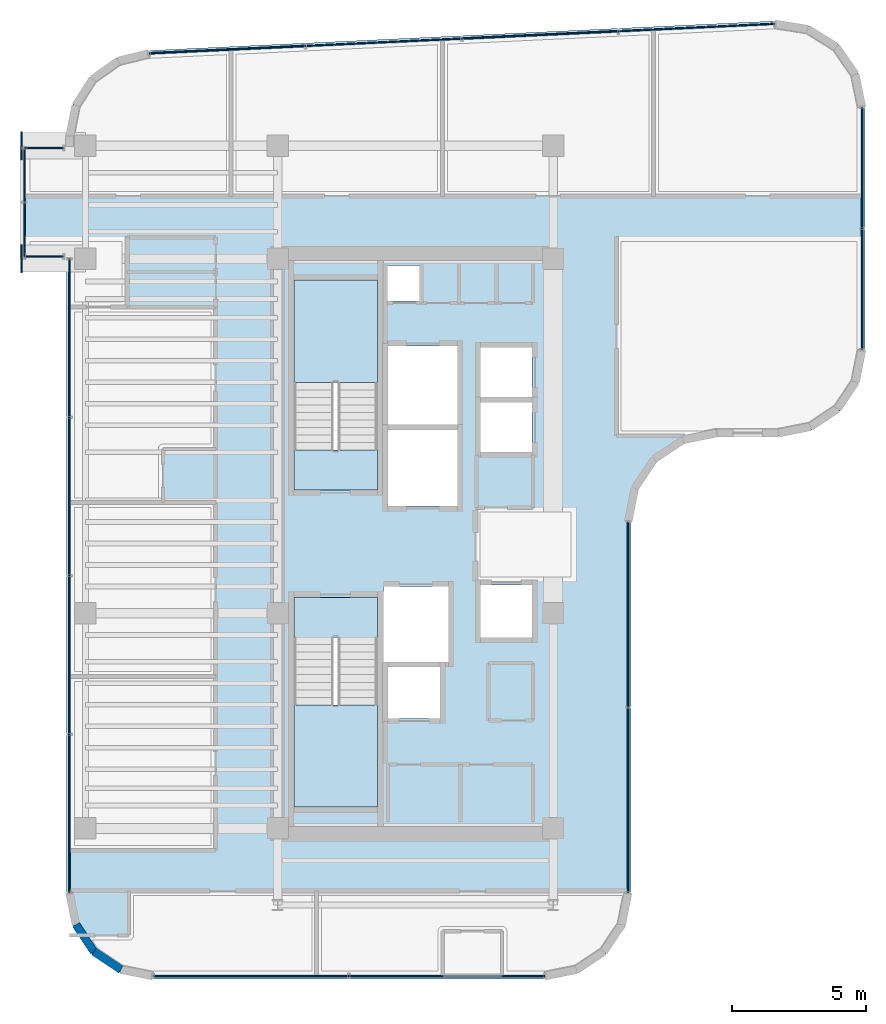
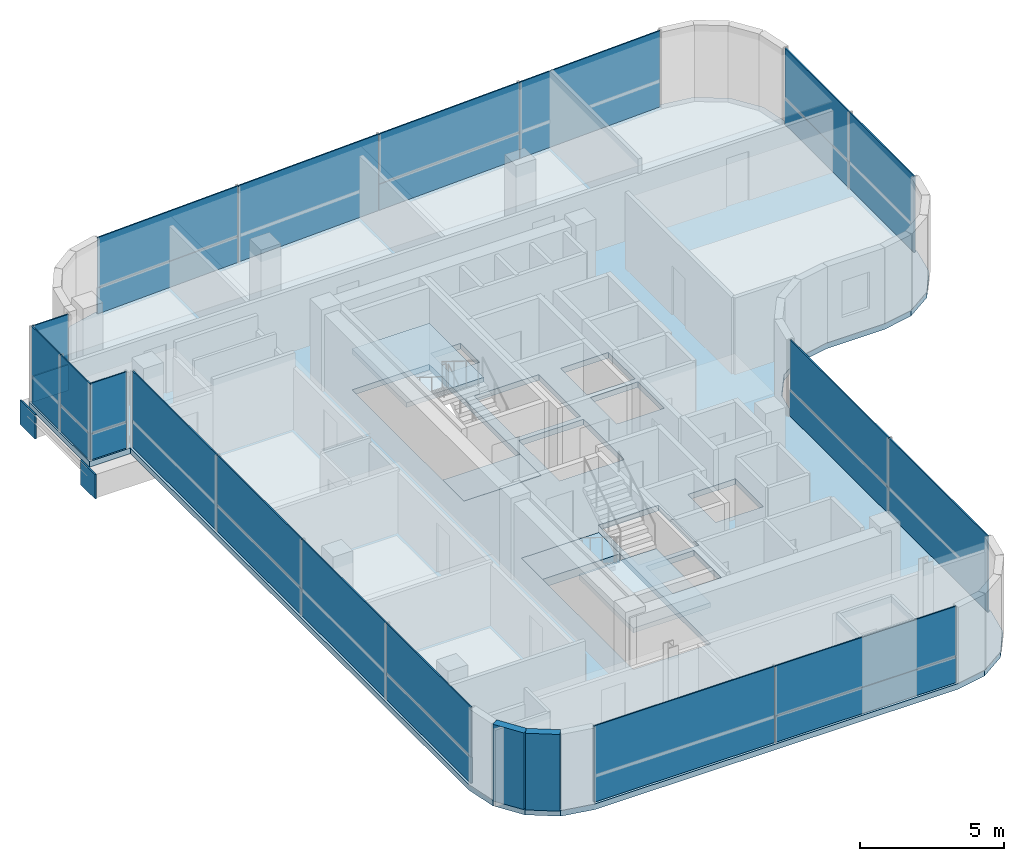
# One storey, part 15 of 21: 30 plates, 5 slabs, 2 walls, 10 elements without a shape of their own.
"""IFC4 building model written with IfcOpenShell, lengths in metres."""

from ifc_helpers import new_model, si_unit, direction, frame, frame_2d, origin, origin_2d, place, context, subcontext, project, spatial, polyline, rectangle, outline, extrude, source, transform, mapped, material, layer, layer_set, type_object, element, aggregate, save


model = new_model("IFC4")

# Units and contexts
model_context = context("Model", 3, precision=1e-05, world=origin(), true_north=direction((0.0, 1.0)))
body_context = subcontext(model_context, "Body", "Model", "MODEL_VIEW")
ifc_project = project(units=[si_unit("LENGTHUNIT", "METRE"), si_unit("AREAUNIT", "SQUARE_METRE"), si_unit("VOLUMEUNIT", "CUBIC_METRE"), si_unit("PLANEANGLEUNIT", "RADIAN"), si_unit("MASSUNIT", "GRAM", prefix="KILO")], contexts=[model_context])

# Site, building, storey
site_placement = place(None, origin())
site = spatial("IfcSite", under=ifc_project, at=site_placement, CompositionType="ELEMENT")
building_placement = place(site_placement, origin())
building = spatial("IfcBuilding", under=site, at=building_placement, Name="Valdorenza Pilgrim Sanctuary Tower", CompositionType="ELEMENT")
storey_placement = place(building_placement, frame((0.0, 0.0, 258.0)))
storey = spatial("IfcBuildingStorey", under=building, at=storey_placement, Name="L67", CompositionType="ELEMENT", Elevation=258.0)

# Slab
ifc_material_1 = material(Name="Concrete C40/50", Category="concrete")
ifc_layer_1 = layer(ifc_material_1, 0.239990234375, Name="Concrete C40/50")
ifc_layer_set_1 = layer_set([ifc_layer_1], Name="Concrete C40/50")
slab_type_1 = type_object("IfcSlabType", Name="SLAB-FLR-220", PredefinedType="FLOOR", material=ifc_layer_set_1)
slab_1_placement = place(storey_placement, frame((0.0, 0.0, -0.239990234375)))
element("IfcSlab", 1, at=slab_1_placement, inside=storey, type_object=slab_type_1, Name="L67 Structural Floor Slab 1", PredefinedType="FLOOR", context=body_context, shape_type="SweptSolid", body=[
    extrude(outline(polyline([(-30.2705078125, 16.3369140625), (-29.615478515625, 17.356201171875), (-28.628173828125, 18.05859375), (-27.45068359375, 18.34375), (-4.150634765625, 19.442138671875), (-2.880615234375, 19.243408203125), (-1.791259765625, 18.56103515625), (-1.05810546875, 17.5048828125), (-0.800048828125, 16.24560546875), (-0.800048828125, 7.199951171875), (-1.043701171875, 5.975341796875), (-1.7373046875, 4.937255859375), (-2.775390625, 4.24365234375), (-4.0, 4.0), (-6.300048828125, 4.0), (-7.524658203125, 3.75634765625), (-8.562744140625, 3.062744140625), (-9.25634765625, 2.024658203125), (-9.5, 0.800048828125), (-9.5, -13.0), (-9.74365234375, -14.224609375), (-10.437255859375, -15.2626953125), (-11.475341796875, -15.956298828125), (-12.699951171875, -16.199951171875), (-27.300048828125, -16.199951171875), (-28.524658203125, -15.956298828125), (-29.562744140625, -15.2626953125), (-30.25634765625, -14.224609375), (-30.5, -13.0), (-30.5, 10.60009765625), (-32.14990234375, 10.60009765625), (-32.14990234375, 14.800048828125), (-30.5, 14.800048828125), (-30.5, 15.147216796875), (-30.2705078125, 16.3369140625)]), holes=[polyline([(-22.050048828125, -9.800048828125), (-18.93994140625, -9.800048828125), (-18.93994140625, -3.485107421875), (-18.93994140625, -2.0), (-22.050048828125, -2.0), (-22.050048828125, -3.485107421875), (-22.050048828125, -9.800048828125)]), polyline([(-16.60009765625, -6.5), (-16.60009765625, -4.60009765625), (-18.550048828125, -4.60009765625), (-18.550048828125, -6.5), (-16.60009765625, -6.5)]), polyline([(-22.050048828125, 2.0), (-18.93994140625, 2.0), (-18.93994140625, 3.485107421875), (-18.93994140625, 9.800048828125), (-22.050048828125, 9.800048828125), (-22.050048828125, 3.485107421875), (-22.050048828125, 2.0)]), polyline([(-17.360107421875, 9.030029296875), (-17.360107421875, 10.35009765625), (-18.570068359375, 10.35009765625), (-18.570068359375, 9.030029296875), (-17.360107421875, 9.030029296875)]), polyline([(-16.300048828125, -1.60009765625), (-18.719970703125, -1.60009765625), (-18.719970703125, -4.39990234375), (-16.300048828125, -4.39990234375), (-16.300048828125, -1.60009765625)]), polyline([(-13.179931640625, -3.5), (-13.179931640625, -1.550048828125), (-15.10009765625, -1.550048828125), (-15.10009765625, -3.5), (-13.179931640625, -3.5)]), polyline([(-15.949951171875, 1.39990234375), (-15.949951171875, 4.22509765625), (-18.550048828125, 4.22509765625), (-18.550048828125, 1.39990234375), (-15.949951171875, 1.39990234375)]), polyline([(-13.179931640625, 5.25), (-15.10009765625, 5.25), (-15.10009765625, 3.39990234375), (-13.179931640625, 3.39990234375), (-13.179931640625, 5.25)]), polyline([(-15.949951171875, 4.425048828125), (-15.949951171875, 7.35009765625), (-18.550048828125, 7.35009765625), (-18.550048828125, 4.425048828125), (-15.949951171875, 4.425048828125)]), polyline([(-13.179931640625, 5.449951171875), (-13.179931640625, 7.300048828125), (-15.10009765625, 7.300048828125), (-15.10009765625, 5.449951171875), (-13.179931640625, 5.449951171875)])]), origin(), (0.0, 0.0, 1.0), 0.239990234375),
])

# Stair, slab
stair_type = type_object("IfcStairType", Name="STR-DOG-CORE", PredefinedType="HALF_TURN_STAIR", material=ifc_material_1)
stair_1_placement = place(storey_placement, origin())
stair_1 = element("IfcStair", 2, at=stair_1_placement, inside=storey, type_object=stair_type, Name="L67 ST-A1", PredefinedType="HALF_TURN_STAIR")
ifc_layer_2 = layer(ifc_material_1, 0.199951171875, Name="Concrete C40/50")
ifc_layer_set_2 = layer_set([ifc_layer_2], Name="Concrete C40/50")
slab_type_2 = type_object("IfcSlabType", Name="SLAB-STL-200", PredefinedType="LANDING", material=ifc_layer_set_2)
slab_2_placement = place(storey_placement, frame((0.0, 0.0, 1.550048828125)))
slab_2 = element("IfcSlab", 3, at=slab_2_placement, type_object=slab_type_2, Name="ST-A1 landing 1", PredefinedType="LANDING", context=body_context, shape_type="SweptSolid", body=[
    extrude(outline(polyline([(-18.93994140625, 6.0), (-18.93994140625, 9.800048828125), (-22.050048828125, 9.800048828125), (-22.050048828125, 6.0), (-18.93994140625, 6.0)])), origin(), (0.0, 0.0, 1.0), 0.199951171875),
])
aggregate(stair_1, [slab_2])

stair_2_placement = place(storey_placement, origin())
stair_2 = element("IfcStair", 4, at=stair_2_placement, inside=storey, type_object=stair_type, Name="L67 ST-A2", PredefinedType="HALF_TURN_STAIR")
slab_3_placement = place(storey_placement, frame((0.0, 0.0, 1.550048828125)))
slab_3 = element("IfcSlab", 5, at=slab_3_placement, type_object=slab_type_2, Name="ST-A2 landing 1", PredefinedType="LANDING", context=body_context, shape_type="SweptSolid", body=[
    extrude(outline(polyline([(-22.050048828125, -6.0), (-22.050048828125, -9.800048828125), (-18.93994140625, -9.800048828125), (-18.93994140625, -6.0), (-22.050048828125, -6.0)])), origin(), (0.0, 0.0, 1.0), 0.199951171875),
])
aggregate(stair_2, [slab_3])

# Slabs
ifc_material_2 = material(Name="Concrete C50/60", Category="concrete")
ifc_layer_3 = layer(ifc_material_2, 0.39990234375, Name="Concrete C50/60")
ifc_layer_set_3 = layer_set([ifc_layer_3], Name="Concrete C50/60")
slab_type_3 = type_object("IfcSlabType", Name="SLAB-TRF-400", PredefinedType="FLOOR", material=ifc_layer_set_3)
slab_4_placement = place(storey_placement, frame((0.0, 0.0, -0.360107421875)))
element("IfcSlab", 6, at=slab_4_placement, inside=storey, type_object=slab_type_3, Name="L67 ST-A1 Structural Stair Landing Bearing Slab", PredefinedType="FLOOR", context=body_context, shape_type="SweptSolid", body=[
    extrude(outline(polyline([(-22.050048828125, 2.0), (-18.93994140625, 2.0), (-18.93994140625, 3.485107421875), (-22.050048828125, 3.485107421875), (-22.050048828125, 2.0)])), origin(), (0.0, 0.0, 1.0), 0.360107421875),
])
slab_5_placement = place(storey_placement, frame((0.0, 0.0, -0.360107421875)))
element("IfcSlab", 7, at=slab_5_placement, inside=storey, type_object=slab_type_3, Name="L67 ST-A2 Structural Stair Landing Bearing Slab", PredefinedType="FLOOR", context=body_context, shape_type="SweptSolid", body=[
    extrude(outline(polyline([(-22.050048828125, -3.485107421875), (-18.93994140625, -3.485107421875), (-18.93994140625, -2.0), (-22.050048828125, -2.0), (-22.050048828125, -3.485107421875)])), origin(), (0.0, 0.0, 1.0), 0.360107421875),
])

# Plates
ifc_material_3 = material(Name="Steel ASTM A572 Grade 42", Category="steel")
ifc_layer_4 = layer(ifc_material_3, 0.06005859375, Name="Steel ASTM A572 Grade 42")
ifc_layer_set_4 = layer_set([ifc_layer_4], Name="Steel ASTM A572 Grade 42")
plate_type_1 = type_object("IfcPlateType", Name="PLT-CAP-60", PredefinedType="SHEET", material=ifc_layer_set_4)
shared_shape_1 = source(origin(), body_context, "Body", "SweptSolid", [
    extrude(rectangle(XDim=0.06005859375, YDim=1.0400390625, at=origin_2d()), origin(), (0.0, 0.0, 1.0), 1.0400390625),
])
for number, where, z_axis, x_axis, name in (
    (8, (-32.179931640625, 14.800048828125, -1.260009765625), (0.0, 0.0, 1.0), (1.0, 0.0, 0.0), "L67 BOX-WA-L67 Cantilever Tip End Cap N"),
    (9, (-32.179931640625, 10.60009765625, -1.260009765625), (0.0, 0.0, 1.0), (1.0, 0.0, 0.0), "L67 BOX-WA-L67 Cantilever Tip End Cap S"),
):
    element("IfcPlate", number, at=place(storey_placement, frame(where, z_axis=z_axis, x_axis=x_axis)), inside=storey, type_object=plate_type_1, Name=name, PredefinedType="SHEET", context=body_context, shape_type="MappedRepresentation", body=[
        mapped(shared_shape_1, transform((0.0, 0.0, 0.0), x_axis=(1.0, 0.0, 0.0), y_axis=(0.0, 1.0, 0.0), z_axis=(0.0, 0.0, 1.0), scale=1.0)),
    ])

# Curtain wall, plate
ifc_material_4 = material(Name="Curtain-wall IGU glazing", Category="glass")
curtain_wall_type = type_object("IfcCurtainWallType", Name="CW-SYS-02", PredefinedType="NOTDEFINED", material=ifc_material_4)
curtain_wall_1_placement = place(storey_placement, origin())
curtain_wall_1 = element("IfcCurtainWall", 10, at=curtain_wall_1_placement, inside=storey, type_object=curtain_wall_type, Name="L67 Curtain Wall CW-L67-BOX-WA-L67-S", PredefinedType="NOTDEFINED")
ifc_material_5 = material(Name="Honed travertine limestone", Category="masonry")
ifc_layer_5 = layer(ifc_material_5, 0.050048828125, Name="Honed travertine limestone")
ifc_layer_set_5 = layer_set([ifc_layer_5], Name="Honed travertine limestone")
plate_type_2 = type_object("IfcPlateType", Name="CW-SPN-TRV", PredefinedType="USERDEFINED", material=ifc_layer_set_5)
shared_shape_2 = source(origin(), body_context, "Body", "SweptSolid", [
    extrude(rectangle(XDim=1.43994140625, YDim=0.06005859375, at=origin_2d()), origin(), (0.0, 0.0, 1.0), 1.10009765625),
])
plate_1_placement = place(storey_placement, frame((-31.340087890625, 10.679931640625, 0.010009765625), z_axis=(0.0, 0.0, 1.0), x_axis=(-1.0, 0.0, 0.0)))
plate_1 = element("IfcPlate", 11, at=plate_1_placement, type_object=plate_type_2, Name="CW-L67-BOX-WA-L67-S Travertine Spandrel 1", ObjectType="SPANDREL", PredefinedType="USERDEFINED", context=body_context, shape_type="MappedRepresentation", body=[
    mapped(shared_shape_2, transform((0.0, 0.0, 0.0), x_axis=(1.0, 0.0, 0.0), y_axis=(0.0, 1.0, 0.0), z_axis=(0.0, 0.0, 1.0), scale=1.0)),
])

curtain_wall_2_placement = place(storey_placement, origin())
curtain_wall_2 = element("IfcCurtainWall", 12, at=curtain_wall_2_placement, inside=storey, type_object=curtain_wall_type, Name="L67 Curtain Wall CW-L67-BOX-WA-L67-N", PredefinedType="NOTDEFINED")
plate_2_placement = place(storey_placement, frame((-31.340087890625, 14.719970703125, 0.010009765625), z_axis=(0.0, 0.0, 1.0), x_axis=(1.0, 0.0, 0.0)))
plate_2 = element("IfcPlate", 13, at=plate_2_placement, type_object=plate_type_2, Name="CW-L67-BOX-WA-L67-N Travertine Spandrel 1", ObjectType="SPANDREL", PredefinedType="USERDEFINED", context=body_context, shape_type="MappedRepresentation", body=[
    mapped(shared_shape_2, transform((0.0, 0.0, 0.0), x_axis=(1.0, 0.0, 0.0), y_axis=(0.0, 1.0, 0.0), z_axis=(0.0, 0.0, 1.0), scale=1.0)),
])

curtain_wall_3_placement = place(storey_placement, origin())
curtain_wall_3 = element("IfcCurtainWall", 14, at=curtain_wall_3_placement, inside=storey, type_object=curtain_wall_type, Name="L67 Curtain Wall CW-L67-BOX-WA-L67-F", PredefinedType="NOTDEFINED")
shared_shape_3 = source(origin(), body_context, "Body", "SweptSolid", [
    extrude(rectangle(XDim=2.0, YDim=0.06005859375, at=origin_2d()), origin(), (0.0, 0.0, 1.0), 1.10009765625),
])
plate_3_placement = place(storey_placement, frame((-32.070068359375, 11.68994140625, 0.010009765625), z_axis=(0.0, 0.0, 1.0), x_axis=(0.0, 1.0, 0.0)))
plate_3 = element("IfcPlate", 15, at=plate_3_placement, type_object=plate_type_2, Name="CW-L67-BOX-WA-L67-F Travertine Spandrel 1", ObjectType="SPANDREL", PredefinedType="USERDEFINED", context=body_context, shape_type="MappedRepresentation", body=[
    mapped(shared_shape_3, transform((0.0, 0.0, 0.0), x_axis=(1.0, 0.0, 0.0), y_axis=(0.0, 1.0, 0.0), z_axis=(0.0, 0.0, 1.0), scale=1.0)),
])

# Plate
ifc_material_6 = material(Name="Ceramic-fritted low-E IGU glazing", Category="glass")
ifc_layer_6 = layer(ifc_material_6, 0.035888671875, Name="Ceramic-fritted low-E IGU glazing")
ifc_layer_set_6 = layer_set([ifc_layer_6], Name="Ceramic-fritted low-E IGU glazing")
plate_type_3 = type_object("IfcPlateType", Name="CW-GLZ-IGU", PredefinedType="USERDEFINED", material=ifc_layer_set_6)
shared_shape_4 = source(origin(), body_context, "Body", "SweptSolid", [
    extrude(rectangle(XDim=1.43994140625, YDim=0.050048828125, at=origin_2d()), origin(), (0.0, 0.0, 1.0), 2.1201171875),
])
plate_4_placement = place(storey_placement, frame((-31.340087890625, 10.679931640625, 1.1298828125), z_axis=(0.0, 0.0, 1.0), x_axis=(-1.0, 0.0, 0.0)))
plate_4 = element("IfcPlate", 16, at=plate_4_placement, type_object=plate_type_3, Name="CW-L67-BOX-WA-L67-S Facade Panel 1", ObjectType="GLAZING", PredefinedType="USERDEFINED", context=body_context, shape_type="MappedRepresentation", body=[
    mapped(shared_shape_4, transform((0.0, 0.0, 0.0), x_axis=(1.0, 0.0, 0.0), y_axis=(0.0, 1.0, 0.0), z_axis=(0.0, 0.0, 1.0), scale=1.0)),
])

aggregate(curtain_wall_1, [plate_1, plate_4])

plate_5_placement = place(storey_placement, frame((-31.340087890625, 14.719970703125, 1.1298828125), z_axis=(0.0, 0.0, 1.0), x_axis=(1.0, 0.0, 0.0)))
plate_5 = element("IfcPlate", 17, at=plate_5_placement, type_object=plate_type_3, Name="CW-L67-BOX-WA-L67-N Facade Panel 1", ObjectType="GLAZING", PredefinedType="USERDEFINED", context=body_context, shape_type="MappedRepresentation", body=[
    mapped(shared_shape_4, transform((0.0, 0.0, 0.0), x_axis=(1.0, 0.0, 0.0), y_axis=(0.0, 1.0, 0.0), z_axis=(0.0, 0.0, 1.0), scale=1.0)),
])

aggregate(curtain_wall_2, [plate_2, plate_5])

shared_shape_5 = source(origin(), body_context, "Body", "SweptSolid", [
    extrude(rectangle(XDim=2.0, YDim=0.050048828125, at=origin_2d()), origin(), (0.0, 0.0, 1.0), 2.1201171875),
])
plate_6_placement = place(storey_placement, frame((-32.070068359375, 11.68994140625, 1.1298828125), z_axis=(0.0, 0.0, 1.0), x_axis=(0.0, 1.0, 0.0)))
plate_6 = element("IfcPlate", 18, at=plate_6_placement, type_object=plate_type_3, Name="CW-L67-BOX-WA-L67-F Facade Panel 1", ObjectType="GLAZING", PredefinedType="USERDEFINED", context=body_context, shape_type="MappedRepresentation", body=[
    mapped(shared_shape_5, transform((0.0, 0.0, 0.0), x_axis=(1.0, 0.0, 0.0), y_axis=(0.0, 1.0, 0.0), z_axis=(0.0, 0.0, 1.0), scale=1.0)),
])

shared_shape_6 = source(origin(), body_context, "Body", "SweptSolid", [
    extrude(rectangle(XDim=2.0, YDim=0.050048828125, at=origin_2d()), origin(), (0.0, 0.0, 1.0), 3.239990234375),
])
plate_7_placement = place(storey_placement, frame((-32.070068359375, 13.7099609375, 0.009765625), z_axis=(0.0, 0.0, 1.0), x_axis=(0.0, 1.0, 0.0)))
plate_7 = element("IfcPlate", 19, at=plate_7_placement, type_object=plate_type_3, Name="CW-L67-BOX-WA-L67-F Full-Height Facade Panel 2", ObjectType="GLAZING", PredefinedType="USERDEFINED", context=body_context, shape_type="MappedRepresentation", body=[
    mapped(shared_shape_6, transform((0.0, 0.0, 0.0), x_axis=(1.0, 0.0, 0.0), y_axis=(0.0, 1.0, 0.0), z_axis=(0.0, 0.0, 1.0), scale=1.0)),
])

aggregate(curtain_wall_3, [plate_3, plate_6, plate_7])

# Curtain wall, plates
curtain_wall_4_placement = place(storey_placement, origin())
curtain_wall_4 = element("IfcCurtainWall", 20, at=curtain_wall_4_placement, inside=storey, type_object=curtain_wall_type, Name="L67 Curtain Wall CW-L67-1-6", PredefinedType="NOTDEFINED")
shared_shape_7 = source(origin(), body_context, "Body", "SweptSolid", [
    extrude(rectangle(XDim=5.805908203125, YDim=0.06005859375, at=origin_2d()), origin(), (0.0, 0.0, 1.0), 1.10009765625),
])
plate_8_placement = place(storey_placement, frame((-24.525146484375, 18.37158203125, 0.010009765625), z_axis=(0.0, 0.0, 1.0), x_axis=(0.998890696972, 0.047089016785, 0.0)))
plate_8 = element("IfcPlate", 21, at=plate_8_placement, type_object=plate_type_2, Name="CW-L67-1-6 Travertine Spandrel 1", ObjectType="SPANDREL", PredefinedType="USERDEFINED", context=body_context, shape_type="MappedRepresentation", body=[
    mapped(shared_shape_7, transform((0.0, 0.0, 0.0), x_axis=(1.0, 0.0, 0.0), y_axis=(0.0, 1.0, 0.0), z_axis=(0.0, 0.0, 1.0), scale=1.0)),
])
plate_9_placement = place(storey_placement, frame((-12.885986328125, 18.920166015625, 0.010009765625), z_axis=(0.0, 0.0, 1.0), x_axis=(0.998890696972, 0.047089016785, 0.0)))
plate_9 = element("IfcPlate", 22, at=plate_9_placement, type_object=plate_type_2, Name="CW-L67-1-6 Travertine Spandrel 3", ObjectType="SPANDREL", PredefinedType="USERDEFINED", context=body_context, shape_type="MappedRepresentation", body=[
    mapped(shared_shape_7, transform((0.0, 0.0, 0.0), x_axis=(1.0, 0.0, 0.0), y_axis=(0.0, 1.0, 0.0), z_axis=(0.0, 0.0, 1.0), scale=1.0)),
])
shared_shape_8 = source(origin(), body_context, "Body", "SweptSolid", [
    extrude(rectangle(XDim=5.805908203125, YDim=0.050048828125, at=origin_2d()), origin(), (0.0, 0.0, 1.0), 2.1201171875),
])
plate_10_placement = place(storey_placement, frame((-24.525146484375, 18.37158203125, 1.1298828125), z_axis=(0.0, 0.0, 1.0), x_axis=(0.998890696972, 0.047089016785, 0.0)))
plate_10 = element("IfcPlate", 23, at=plate_10_placement, type_object=plate_type_3, Name="CW-L67-1-6 Facade Panel 1", ObjectType="GLAZING", PredefinedType="USERDEFINED", context=body_context, shape_type="MappedRepresentation", body=[
    mapped(shared_shape_8, transform((0.0, 0.0, 0.0), x_axis=(1.0, 0.0, 0.0), y_axis=(0.0, 1.0, 0.0), z_axis=(0.0, 0.0, 1.0), scale=1.0)),
])
plate_11_placement = place(storey_placement, frame((-12.885986328125, 18.920166015625, 1.1298828125), z_axis=(0.0, 0.0, 1.0), x_axis=(0.998890696972, 0.047089016785, 0.0)))
plate_11 = element("IfcPlate", 24, at=plate_11_placement, type_object=plate_type_3, Name="CW-L67-1-6 Facade Panel 3", ObjectType="GLAZING", PredefinedType="USERDEFINED", context=body_context, shape_type="MappedRepresentation", body=[
    mapped(shared_shape_8, transform((0.0, 0.0, 0.0), x_axis=(1.0, 0.0, 0.0), y_axis=(0.0, 1.0, 0.0), z_axis=(0.0, 0.0, 1.0), scale=1.0)),
])
shared_shape_9 = source(origin(), body_context, "Body", "SweptSolid", [
    extrude(rectangle(XDim=5.805908203125, YDim=0.050048828125, at=origin_2d()), origin(), (0.0, 0.0, 1.0), 3.239990234375),
])
plate_12_placement = place(storey_placement, frame((-18.70556640625, 18.645751953125, 0.009765625), z_axis=(0.0, 0.0, 1.0), x_axis=(0.998890696972, 0.047089016785, 0.0)))
plate_12 = element("IfcPlate", 25, at=plate_12_placement, type_object=plate_type_3, Name="CW-L67-1-6 Full-Height Facade Panel 2", ObjectType="GLAZING", PredefinedType="USERDEFINED", context=body_context, shape_type="MappedRepresentation", body=[
    mapped(shared_shape_9, transform((0.0, 0.0, 0.0), x_axis=(1.0, 0.0, 0.0), y_axis=(0.0, 1.0, 0.0), z_axis=(0.0, 0.0, 1.0), scale=1.0)),
])
plate_13_placement = place(storey_placement, frame((-7.06640625, 19.194580078125, 0.009765625), z_axis=(0.0, 0.0, 1.0), x_axis=(0.998890696972, 0.047089016785, 0.0)))
plate_13 = element("IfcPlate", 26, at=plate_13_placement, type_object=plate_type_3, Name="CW-L67-1-6 Full-Height Facade Panel 4", ObjectType="GLAZING", PredefinedType="USERDEFINED", context=body_context, shape_type="MappedRepresentation", body=[
    mapped(shared_shape_9, transform((0.0, 0.0, 0.0), x_axis=(1.0, 0.0, 0.0), y_axis=(0.0, 1.0, 0.0), z_axis=(0.0, 0.0, 1.0), scale=1.0)),
])
aggregate(curtain_wall_4, [plate_8, plate_10, plate_12, plate_9, plate_11, plate_13])

curtain_wall_5_placement = place(storey_placement, origin())
curtain_wall_5 = element("IfcCurtainWall", 27, at=curtain_wall_5_placement, inside=storey, type_object=curtain_wall_type, Name="L67 Curtain Wall CW-L67-1-11", PredefinedType="NOTDEFINED")
shared_shape_10 = source(origin(), body_context, "Body", "SweptSolid", [
    extrude(rectangle(XDim=4.49169921875, YDim=0.06005859375, at=origin_2d()), origin(), (0.0, 0.0, 1.0), 1.10009765625),
])
plate_14_placement = place(storey_placement, frame((-0.909912109375, 13.978515625, 0.010009765625), z_axis=(0.0, 0.0, 1.0), x_axis=(0.0, -1.0, 0.0)))
plate_14 = element("IfcPlate", 28, at=plate_14_placement, type_object=plate_type_2, Name="CW-L67-1-11 Travertine Spandrel 1", ObjectType="SPANDREL", PredefinedType="USERDEFINED", context=body_context, shape_type="MappedRepresentation", body=[
    mapped(shared_shape_10, transform((0.0, 0.0, 0.0), x_axis=(1.0, 0.0, 0.0), y_axis=(0.0, 1.0, 0.0), z_axis=(0.0, 0.0, 1.0), scale=1.0)),
])
shared_shape_11 = source(origin(), body_context, "Body", "SweptSolid", [
    extrude(rectangle(XDim=4.49169921875, YDim=0.050048828125, at=origin_2d()), origin(), (0.0, 0.0, 1.0), 2.1201171875),
])
plate_15_placement = place(storey_placement, frame((-0.909912109375, 13.978515625, 1.1298828125), z_axis=(0.0, 0.0, 1.0), x_axis=(0.0, -1.0, 0.0)))
plate_15 = element("IfcPlate", 29, at=plate_15_placement, type_object=plate_type_3, Name="CW-L67-1-11 Facade Panel 1", ObjectType="GLAZING", PredefinedType="USERDEFINED", context=body_context, shape_type="MappedRepresentation", body=[
    mapped(shared_shape_11, transform((0.0, 0.0, 0.0), x_axis=(1.0, 0.0, 0.0), y_axis=(0.0, 1.0, 0.0), z_axis=(0.0, 0.0, 1.0), scale=1.0)),
])
shared_shape_12 = source(origin(), body_context, "Body", "SweptSolid", [
    extrude(rectangle(XDim=4.49169921875, YDim=0.050048828125, at=origin_2d()), origin(), (0.0, 0.0, 1.0), 3.239990234375),
])
plate_16_placement = place(storey_placement, frame((-0.909912109375, 9.466796875, 0.009765625), z_axis=(0.0, 0.0, 1.0), x_axis=(0.0, -1.0, 0.0)))
plate_16 = element("IfcPlate", 30, at=plate_16_placement, type_object=plate_type_3, Name="CW-L67-1-11 Full-Height Facade Panel 2", ObjectType="GLAZING", PredefinedType="USERDEFINED", context=body_context, shape_type="MappedRepresentation", body=[
    mapped(shared_shape_12, transform((0.0, 0.0, 0.0), x_axis=(1.0, 0.0, 0.0), y_axis=(0.0, 1.0, 0.0), z_axis=(0.0, 0.0, 1.0), scale=1.0)),
])
aggregate(curtain_wall_5, [plate_14, plate_15, plate_16])

curtain_wall_6_placement = place(storey_placement, origin())
curtain_wall_6 = element("IfcCurtainWall", 31, at=curtain_wall_6_placement, inside=storey, type_object=curtain_wall_type, Name="L67 Curtain Wall CW-L67-1-21", PredefinedType="NOTDEFINED")
shared_shape_13 = source(origin(), body_context, "Body", "SweptSolid", [
    extrude(rectangle(XDim=6.8798828125, YDim=0.06005859375, at=origin_2d()), origin(), (0.0, 0.0, 1.0), 1.10009765625),
])
plate_17_placement = place(storey_placement, frame((-9.610107421875, -2.63916015625, 0.010009765625), z_axis=(0.0, 0.0, 1.0), x_axis=(0.0, -1.0, 0.0)))
plate_17 = element("IfcPlate", 32, at=plate_17_placement, type_object=plate_type_2, Name="CW-L67-1-21 Travertine Spandrel 1", ObjectType="SPANDREL", PredefinedType="USERDEFINED", context=body_context, shape_type="MappedRepresentation", body=[
    mapped(shared_shape_13, transform((0.0, 0.0, 0.0), x_axis=(1.0, 0.0, 0.0), y_axis=(0.0, 1.0, 0.0), z_axis=(0.0, 0.0, 1.0), scale=1.0)),
])
shared_shape_14 = source(origin(), body_context, "Body", "SweptSolid", [
    extrude(rectangle(XDim=6.8798828125, YDim=0.050048828125, at=origin_2d()), origin(), (0.0, 0.0, 1.0), 2.1201171875),
])
plate_18_placement = place(storey_placement, frame((-9.610107421875, -2.63916015625, 1.1298828125), z_axis=(0.0, 0.0, 1.0), x_axis=(0.0, -1.0, 0.0)))
plate_18 = element("IfcPlate", 33, at=plate_18_placement, type_object=plate_type_3, Name="CW-L67-1-21 Facade Panel 1", ObjectType="GLAZING", PredefinedType="USERDEFINED", context=body_context, shape_type="MappedRepresentation", body=[
    mapped(shared_shape_14, transform((0.0, 0.0, 0.0), x_axis=(1.0, 0.0, 0.0), y_axis=(0.0, 1.0, 0.0), z_axis=(0.0, 0.0, 1.0), scale=1.0)),
])
shared_shape_15 = source(origin(), body_context, "Body", "SweptSolid", [
    extrude(rectangle(XDim=6.8798828125, YDim=0.050048828125, at=origin_2d()), origin(), (0.0, 0.0, 1.0), 3.239990234375),
])
plate_19_placement = place(storey_placement, frame((-9.610107421875, -9.539306640625, 0.009765625), z_axis=(0.0, 0.0, 1.0), x_axis=(0.0, -1.0, 0.0)))
plate_19 = element("IfcPlate", 34, at=plate_19_placement, type_object=plate_type_3, Name="CW-L67-1-21 Full-Height Facade Panel 2", ObjectType="GLAZING", PredefinedType="USERDEFINED", context=body_context, shape_type="MappedRepresentation", body=[
    mapped(shared_shape_15, transform((0.0, 0.0, 0.0), x_axis=(1.0, 0.0, 0.0), y_axis=(0.0, 1.0, 0.0), z_axis=(0.0, 0.0, 1.0), scale=1.0)),
])
aggregate(curtain_wall_6, [plate_17, plate_18, plate_19])

curtain_wall_7_placement = place(storey_placement, origin())
curtain_wall_7 = element("IfcCurtainWall", 35, at=curtain_wall_7_placement, inside=storey, type_object=curtain_wall_type, Name="L67 Curtain Wall CW-L67-1-26", PredefinedType="NOTDEFINED")
shared_shape_16 = source(origin(), body_context, "Body", "SweptSolid", [
    extrude(rectangle(XDim=7.269287109375, YDim=0.06005859375, at=origin_2d()), origin(), (0.0, 0.0, 1.0), 1.10009765625),
])
plate_20_placement = place(storey_placement, frame((-16.35546875, -16.090087890625, 0.010009765625), z_axis=(0.0, 0.0, 1.0), x_axis=(-1.0, 0.0, 0.0)))
plate_20 = element("IfcPlate", 36, at=plate_20_placement, type_object=plate_type_2, Name="CW-L67-1-26 Travertine Spandrel 1", ObjectType="SPANDREL", PredefinedType="USERDEFINED", context=body_context, shape_type="MappedRepresentation", body=[
    mapped(shared_shape_16, transform((0.0, 0.0, 0.0), x_axis=(1.0, 0.0, 0.0), y_axis=(0.0, 1.0, 0.0), z_axis=(0.0, 0.0, 1.0), scale=1.0)),
])
shared_shape_17 = source(origin(), body_context, "Body", "SweptSolid", [
    extrude(rectangle(XDim=7.269287109375, YDim=0.050048828125, at=origin_2d()), origin(), (0.0, 0.0, 1.0), 2.1201171875),
])
plate_21_placement = place(storey_placement, frame((-16.35546875, -16.090087890625, 1.1298828125), z_axis=(0.0, 0.0, 1.0), x_axis=(-1.0, 0.0, 0.0)))
plate_21 = element("IfcPlate", 37, at=plate_21_placement, type_object=plate_type_3, Name="CW-L67-1-26 Facade Panel 1", ObjectType="GLAZING", PredefinedType="USERDEFINED", context=body_context, shape_type="MappedRepresentation", body=[
    mapped(shared_shape_17, transform((0.0, 0.0, 0.0), x_axis=(1.0, 0.0, 0.0), y_axis=(0.0, 1.0, 0.0), z_axis=(0.0, 0.0, 1.0), scale=1.0)),
])
shared_shape_18 = source(origin(), body_context, "Body", "SweptSolid", [
    extrude(rectangle(XDim=7.269287109375, YDim=0.050048828125, at=origin_2d()), origin(), (0.0, 0.0, 1.0), 3.239990234375),
])
plate_22_placement = place(storey_placement, frame((-23.64453125, -16.090087890625, 0.009765625), z_axis=(0.0, 0.0, 1.0), x_axis=(-1.0, 0.0, 0.0)))
plate_22 = element("IfcPlate", 38, at=plate_22_placement, type_object=plate_type_3, Name="CW-L67-1-26 Full-Height Facade Panel 2", ObjectType="GLAZING", PredefinedType="USERDEFINED", context=body_context, shape_type="MappedRepresentation", body=[
    mapped(shared_shape_18, transform((0.0, 0.0, 0.0), x_axis=(1.0, 0.0, 0.0), y_axis=(0.0, 1.0, 0.0), z_axis=(0.0, 0.0, 1.0), scale=1.0)),
])
aggregate(curtain_wall_7, [plate_20, plate_21, plate_22])

curtain_wall_8_placement = place(storey_placement, origin())
curtain_wall_8 = element("IfcCurtainWall", 39, at=curtain_wall_8_placement, inside=storey, type_object=curtain_wall_type, Name="L67 Curtain Wall CW-L67-1-1S1", PredefinedType="NOTDEFINED")
shared_shape_19 = source(origin(), body_context, "Body", "SweptSolid", [
    extrude(rectangle(XDim=5.877197265625, YDim=0.06005859375, at=origin_2d()), origin(), (0.0, 0.0, 1.0), 1.10009765625),
])
plate_23_placement = place(storey_placement, frame((-30.389892578125, -10.04052734375, 0.010009765625), z_axis=(0.0, 0.0, 1.0), x_axis=(0.0, 1.0, 0.0)))
plate_23 = element("IfcPlate", 40, at=plate_23_placement, type_object=plate_type_2, Name="CW-L67-1-1S1 Travertine Spandrel 1", ObjectType="SPANDREL", PredefinedType="USERDEFINED", context=body_context, shape_type="MappedRepresentation", body=[
    mapped(shared_shape_19, transform((0.0, 0.0, 0.0), x_axis=(1.0, 0.0, 0.0), y_axis=(0.0, 1.0, 0.0), z_axis=(0.0, 0.0, 1.0), scale=1.0)),
])
plate_24_placement = place(storey_placement, frame((-30.389892578125, 1.75390625, 0.010009765625), z_axis=(0.0, 0.0, 1.0), x_axis=(0.0, 1.0, 0.0)))
plate_24 = element("IfcPlate", 41, at=plate_24_placement, type_object=plate_type_2, Name="CW-L67-1-1S1 Travertine Spandrel 3", ObjectType="SPANDREL", PredefinedType="USERDEFINED", context=body_context, shape_type="MappedRepresentation", body=[
    mapped(shared_shape_19, transform((0.0, 0.0, 0.0), x_axis=(1.0, 0.0, 0.0), y_axis=(0.0, 1.0, 0.0), z_axis=(0.0, 0.0, 1.0), scale=1.0)),
])
shared_shape_20 = source(origin(), body_context, "Body", "SweptSolid", [
    extrude(rectangle(XDim=5.877197265625, YDim=0.050048828125, at=origin_2d()), origin(), (0.0, 0.0, 1.0), 2.1201171875),
])
plate_25_placement = place(storey_placement, frame((-30.389892578125, -10.04052734375, 1.1298828125), z_axis=(0.0, 0.0, 1.0), x_axis=(0.0, 1.0, 0.0)))
plate_25 = element("IfcPlate", 42, at=plate_25_placement, type_object=plate_type_3, Name="CW-L67-1-1S1 Facade Panel 1", ObjectType="GLAZING", PredefinedType="USERDEFINED", context=body_context, shape_type="MappedRepresentation", body=[
    mapped(shared_shape_20, transform((0.0, 0.0, 0.0), x_axis=(1.0, 0.0, 0.0), y_axis=(0.0, 1.0, 0.0), z_axis=(0.0, 0.0, 1.0), scale=1.0)),
])
plate_26_placement = place(storey_placement, frame((-30.389892578125, 1.75390625, 1.1298828125), z_axis=(0.0, 0.0, 1.0), x_axis=(0.0, 1.0, 0.0)))
plate_26 = element("IfcPlate", 43, at=plate_26_placement, type_object=plate_type_3, Name="CW-L67-1-1S1 Facade Panel 3", ObjectType="GLAZING", PredefinedType="USERDEFINED", context=body_context, shape_type="MappedRepresentation", body=[
    mapped(shared_shape_20, transform((0.0, 0.0, 0.0), x_axis=(1.0, 0.0, 0.0), y_axis=(0.0, 1.0, 0.0), z_axis=(0.0, 0.0, 1.0), scale=1.0)),
])
shared_shape_21 = source(origin(), body_context, "Body", "SweptSolid", [
    extrude(rectangle(XDim=5.877197265625, YDim=0.050048828125, at=origin_2d()), origin(), (0.0, 0.0, 1.0), 3.239990234375),
])
plate_27_placement = place(storey_placement, frame((-30.389892578125, -4.143310546875, 0.009765625), z_axis=(0.0, 0.0, 1.0), x_axis=(0.0, 1.0, 0.0)))
plate_27 = element("IfcPlate", 44, at=plate_27_placement, type_object=plate_type_3, Name="CW-L67-1-1S1 Full-Height Facade Panel 2", ObjectType="GLAZING", PredefinedType="USERDEFINED", context=body_context, shape_type="MappedRepresentation", body=[
    mapped(shared_shape_21, transform((0.0, 0.0, 0.0), x_axis=(1.0, 0.0, 0.0), y_axis=(0.0, 1.0, 0.0), z_axis=(0.0, 0.0, 1.0), scale=1.0)),
])
plate_28_placement = place(storey_placement, frame((-30.389892578125, 7.6513671875, 0.009765625), z_axis=(0.0, 0.0, 1.0), x_axis=(0.0, 1.0, 0.0)))
plate_28 = element("IfcPlate", 45, at=plate_28_placement, type_object=plate_type_3, Name="CW-L67-1-1S1 Full-Height Facade Panel 4", ObjectType="GLAZING", PredefinedType="USERDEFINED", context=body_context, shape_type="MappedRepresentation", body=[
    mapped(shared_shape_21, transform((0.0, 0.0, 0.0), x_axis=(1.0, 0.0, 0.0), y_axis=(0.0, 1.0, 0.0), z_axis=(0.0, 0.0, 1.0), scale=1.0)),
])
aggregate(curtain_wall_8, [plate_23, plate_25, plate_27, plate_24, plate_26, plate_28])

# Walls
ifc_layer_7 = layer(ifc_material_5, 0.300048828125, Name="Honed travertine limestone")
ifc_layer_set_7 = layer_set([ifc_layer_7], Name="Honed travertine limestone")
wall_type = type_object("IfcWallType", Name="WAL-EXT-300", PredefinedType="SOLIDWALL", material=ifc_layer_set_7)
for number, where, z_axis, x_axis, name in (
    (46, (-28.481689453125, -15.852783203125, 0.0), (0.0, 0.0, 1.0), (-0.831426265255, 0.555635100982, 0.0), "L67 Rounded Wind-Corner Stone Pier 28"),
    (47, (-29.4833984375, -15.183349609375, 0.0), (0.0, 0.0, 1.0), (-0.555635100982, 0.831426265255, 0.0), "L67 Rounded Wind-Corner Stone Pier 29"),
):
    element("IfcWall", number, at=place(storey_placement, frame(where, z_axis=z_axis, x_axis=x_axis)), inside=storey, type_object=wall_type, Name=name, PredefinedType="SOLIDWALL", context=body_context, shape_type="SweptSolid", body=[
        extrude(rectangle(XDim=1.204833984375, YDim=0.300048828125, at=frame_2d((0.6025390625, 0.0))), origin(), (0.0, 0.0, 1.0), 3.260009765625),
    ])

save(model, "model.ifc")
